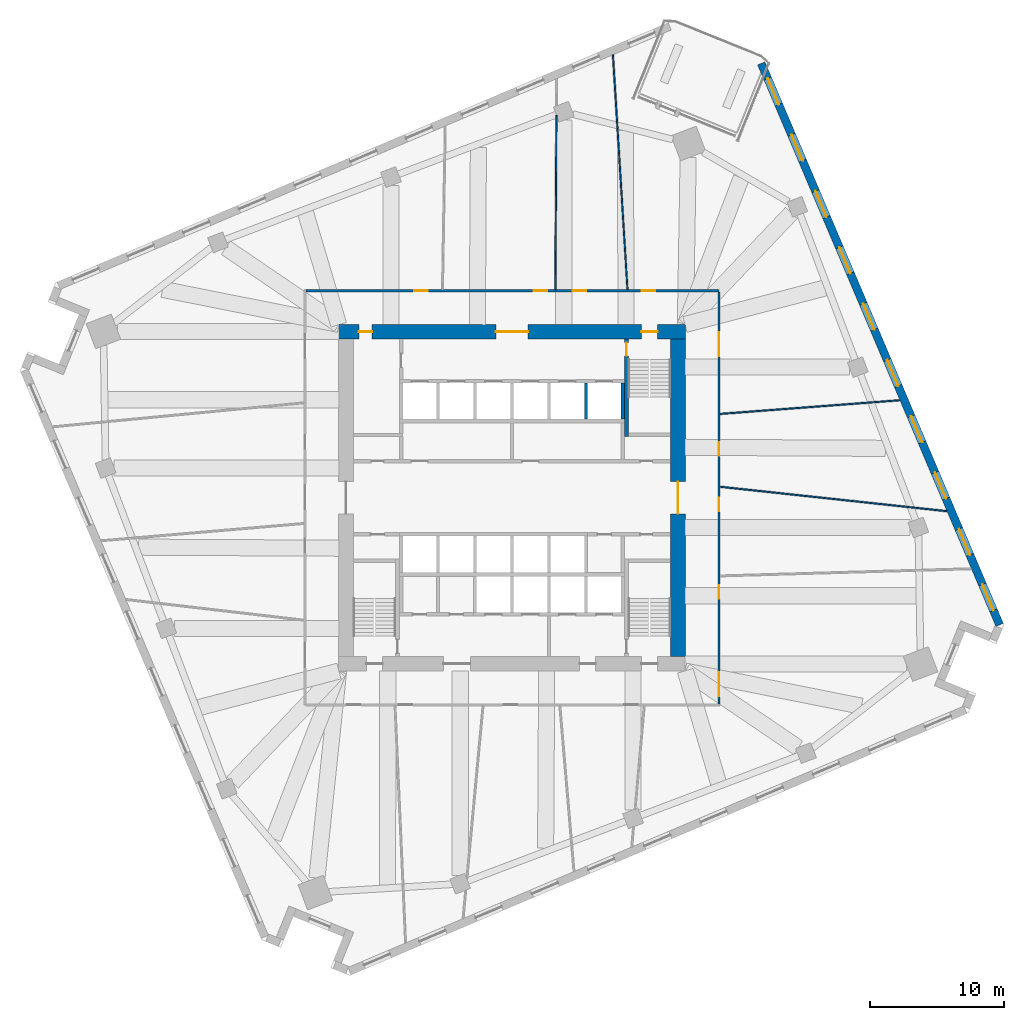
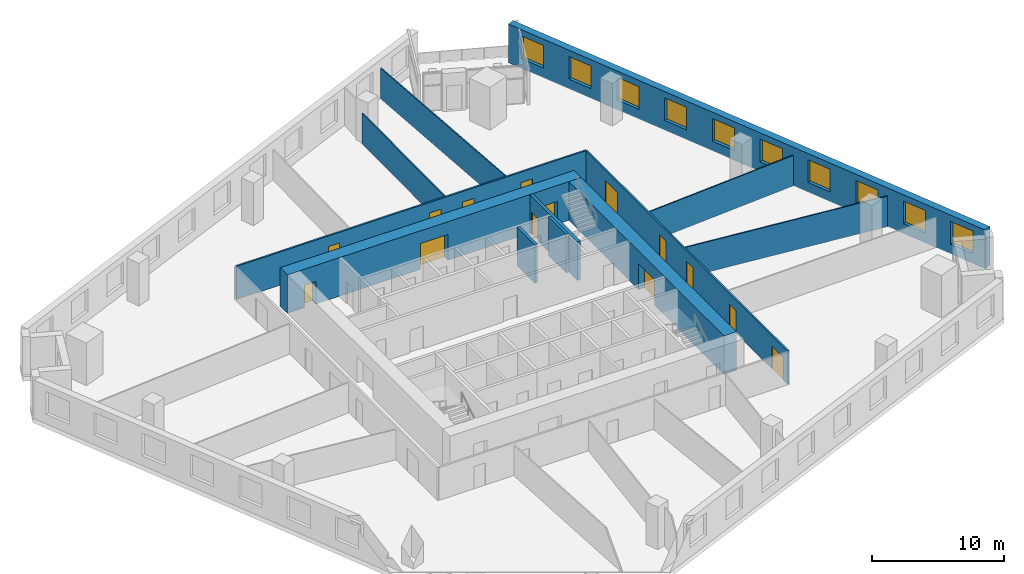
# One storey, part 9 of 12: 14 doors, 12 walls, 10 windows, 24 openings.
"""IFC4 building model written with IfcOpenShell, lengths in metres."""

from ifc_helpers import new_model, si_unit, direction, frame, frame_2d, origin, place, context, subcontext, project, spatial, rectangle, extrude, material, layer, layer_set, type_object, element, fill, save


model = new_model("IFC4")

# Units and contexts
model_context = context("Model", 3, precision=1e-05, world=origin(), true_north=direction((0.0, 1.0)))
body_context = subcontext(model_context, "Body", "Model", "MODEL_VIEW")
ifc_project = project(units=[si_unit("LENGTHUNIT", "METRE"), si_unit("AREAUNIT", "SQUARE_METRE"), si_unit("VOLUMEUNIT", "CUBIC_METRE"), si_unit("PLANEANGLEUNIT", "RADIAN"), si_unit("MASSUNIT", "GRAM", prefix="KILO")], contexts=[model_context])

# Site, building, storey
site_placement = place(None, origin())
site = spatial("IfcSite", under=ifc_project, at=site_placement, CompositionType="ELEMENT")
building_placement = place(site_placement, origin())
building = spatial("IfcBuilding", under=site, at=building_placement, Name="Dilmun Exchange Tower", CompositionType="ELEMENT")
storey_placement = place(building_placement, frame((0.0, 0.0, 118.10009765625)))
storey = spatial("IfcBuildingStorey", under=building, at=storey_placement, Name="L27", CompositionType="ELEMENT", Elevation=118.10009765625)

# Wall, openings, doors
ifc_material_1 = material(Name="Concrete C80/95", Category="concrete")
ifc_layer_1 = layer(ifc_material_1, 1.10009765625)
ifc_layer_set_1 = layer_set([ifc_layer_1], Name="Concrete C80/95")
wall_type_1 = type_object("IfcWallType", Name="Core shear wall 1100 Concrete C80/95", PredefinedType="SHEAR", material=ifc_layer_set_1)
wall_1_placement = place(storey_placement, frame((-12.89990234375, 12.35009765625, 0.0), z_axis=(0.0, 0.0, 1.0), x_axis=(1.0, 0.0, 0.0)))
wall_1 = element("IfcWall", 1, at=wall_1_placement, inside=storey, type_object=wall_type_1, Name="L27 core shear wall N", PredefinedType="SHEAR", context=body_context, shape_type="SweptSolid", body=[
    extrude(rectangle(XDim=25.7998046875, YDim=1.10009765625, at=frame_2d((12.89990234375, 0.0))), origin(), (0.0, 0.0, 1.0), 3.579833984375),
])
opening_1_placement = place(wall_1_placement, frame((11.699951171875, 0.0, 0.0)))
opening_1 = element("IfcOpeningElement", 2, at=opening_1_placement, cuts=wall_1, Name="Opening CD1", PredefinedType="OPENING", context=body_context, shape_type="SweptSolid", body=[
    extrude(rectangle(XDim=2.39990234375, YDim=2.39990234375, at=frame_2d((1.199951171875, 1.199951171875))), frame((0.0, 0.56005859375, 0.0), z_axis=(0.0, -1.0, 0.0), x_axis=(1.0, 0.0, 0.0)), (0.0, 0.0, 1.0), 1.1201171875),
])
opening_2_placement = place(wall_1_placement, frame((22.52490234375, 0.0, 0.0)))
opening_2 = element("IfcOpeningElement", 3, at=opening_2_placement, cuts=wall_1, Name="Opening CD3", PredefinedType="OPENING", context=body_context, shape_type="SweptSolid", body=[
    extrude(rectangle(XDim=1.199951171875, YDim=2.10009765625, at=frame_2d((0.60009765625, 1.050048828125))), frame((0.0, 0.56005859375, 0.0), z_axis=(0.0, -1.0, 0.0), x_axis=(1.0, 0.0, 0.0)), (0.0, 0.0, 1.0), 1.1201171875),
])
opening_3_placement = place(wall_1_placement, frame((1.5, 0.0, 0.0)))
opening_3 = element("IfcOpeningElement", 4, at=opening_3_placement, cuts=wall_1, Name="Opening CD4", PredefinedType="OPENING", context=body_context, shape_type="SweptSolid", body=[
    extrude(rectangle(XDim=1.0, YDim=2.10009765625, at=frame_2d((0.5, 1.050048828125))), frame((0.0, 0.56005859375, 0.0), z_axis=(0.0, -1.0, 0.0), x_axis=(1.0, 0.0, 0.0)), (0.0, 0.0, 1.0), 1.1201171875),
])
ifc_material_2 = material(Name="Fire-rated steel door set", Category="steel")
door_type_1 = type_object("IfcDoorType", Name="Core lobby door 2400x2400", OperationType="DOUBLE_DOOR_DOUBLE_SWING", PredefinedType="DOOR", material=ifc_material_2)
door_1_placement = place(opening_1_placement, origin())
door_1 = element("IfcDoor", 5, at=door_1_placement, inside=storey, type_object=door_type_1, Name="L27 door North lift lobby", OperationType="SINGLE_SWING_LEFT", OverallHeight=2.39990234375, OverallWidth=2.39990234375, PredefinedType="DOOR", context=body_context, shape_type="SweptSolid", body=[
    extrude(rectangle(XDim=2.39990234375, YDim=2.39990234375, at=frame_2d((1.199951171875, 1.199951171875))), frame((0.0, 0.02490234375, 0.0), z_axis=(0.0, -1.0, 0.0), x_axis=(1.0, 0.0, 0.0)), (0.0, 0.0, 1.0), 0.050048828125),
])
fill(opening_1, door_1)
door_type_2 = type_object("IfcDoorType", Name="Core room door 1000x2100", OperationType="SINGLE_SWING_LEFT", PredefinedType="DOOR", material=ifc_material_2)
door_2_placement = place(opening_3_placement, origin())
door_2 = element("IfcDoor", 6, at=door_2_placement, inside=storey, type_object=door_type_2, Name="L27 door North-west core rooms", OperationType="SINGLE_SWING_LEFT", OverallHeight=2.10009765625, OverallWidth=1.0, PredefinedType="DOOR", context=body_context, shape_type="SweptSolid", body=[
    extrude(rectangle(XDim=1.0, YDim=2.10009765625, at=frame_2d((0.5, 1.050048828125))), frame((0.0, 0.02490234375, 0.0), z_axis=(0.0, -1.0, 0.0), x_axis=(1.0, 0.0, 0.0)), (0.0, 0.0, 1.0), 0.050048828125),
])
fill(opening_3, door_2)
door_type_3 = type_object("IfcDoorType", Name="Stair exit door 1200x2100", OperationType="SINGLE_SWING_LEFT", PredefinedType="DOOR", material=ifc_material_2)
door_3_placement = place(opening_2_placement, origin())
door_3 = element("IfcDoor", 7, at=door_3_placement, inside=storey, type_object=door_type_3, Name="L27 door Stair ST1", OperationType="SINGLE_SWING_LEFT", OverallHeight=2.10009765625, OverallWidth=1.199951171875, PredefinedType="DOOR", context=body_context, shape_type="SweptSolid", body=[
    extrude(rectangle(XDim=1.199951171875, YDim=2.10009765625, at=frame_2d((0.60009765625, 1.050048828125))), frame((0.0, 0.02490234375, 0.0), z_axis=(0.0, -1.0, 0.0), x_axis=(1.0, 0.0, 0.0)), (0.0, 0.0, 1.0), 0.050048828125),
])
fill(opening_2, door_3)

# Wall, opening, door
wall_2_placement = place(storey_placement, frame((12.35009765625, -11.800048828125, 0.0), z_axis=(0.0, 0.0, 1.0), x_axis=(0.0, 1.0, 0.0)))
wall_2 = element("IfcWall", 8, at=wall_2_placement, inside=storey, type_object=wall_type_1, Name="L27 core shear wall E", PredefinedType="SHEAR", context=body_context, shape_type="SweptSolid", body=[
    extrude(rectangle(XDim=23.60009765625, YDim=1.10009765625, at=frame_2d((11.800048828125, 0.0))), origin(), (0.0, 0.0, 1.0), 3.579833984375),
])
opening_4_placement = place(wall_2_placement, frame((10.60009765625, 0.0, 0.0)))
opening_4 = element("IfcOpeningElement", 9, at=opening_4_placement, cuts=wall_2, Name="Opening CD1", PredefinedType="OPENING", context=body_context, shape_type="SweptSolid", body=[
    extrude(rectangle(XDim=2.39990234375, YDim=2.39990234375, at=frame_2d((1.199951171875, 1.199951171875))), frame((0.0, 0.56005859375, 0.0), z_axis=(0.0, -1.0, 0.0), x_axis=(1.0, 0.0, 0.0)), (0.0, 0.0, 1.0), 1.1201171875),
])
door_4_placement = place(opening_4_placement, origin())
door_4 = element("IfcDoor", 10, at=door_4_placement, inside=storey, type_object=door_type_1, Name="L27 door Central lift lobby", OperationType="SINGLE_SWING_LEFT", OverallHeight=2.39990234375, OverallWidth=2.39990234375, PredefinedType="DOOR", context=body_context, shape_type="SweptSolid", body=[
    extrude(rectangle(XDim=2.39990234375, YDim=2.39990234375, at=frame_2d((1.199951171875, 1.199951171875))), frame((0.0, 0.02490234375, 0.0), z_axis=(0.0, -1.0, 0.0), x_axis=(1.0, 0.0, 0.0)), (0.0, 0.0, 1.0), 0.050048828125),
])
fill(opening_4, door_4)

# Wall, openings, doors
ifc_material_3 = material(Name="Corridor wall 150")
ifc_layer_2 = layer(ifc_material_3, 0.14990234375)
ifc_layer_set_2 = layer_set([ifc_layer_2], Name="Corridor wall 150")
wall_type_2 = type_object("IfcWallType", Name="Corridor wall 150", PredefinedType="PARTITIONING", material=ifc_layer_set_2)
wall_3_placement = place(storey_placement, frame((-15.324951171875, 15.39990234375, 0.0), z_axis=(0.0, 0.0, 1.0), x_axis=(1.0, 0.0, 0.0)))
wall_3 = element("IfcWall", 11, at=wall_3_placement, inside=storey, type_object=wall_type_2, Name="Corridor wall", PredefinedType="PARTITIONING", context=body_context, shape_type="SweptSolid", body=[
    extrude(rectangle(XDim=30.724853515625, YDim=0.14990234375, at=frame_2d((15.3623046875, 0.0))), origin(), (0.0, 0.0, 1.0), 3.079833984375),
])
opening_5_placement = place(wall_3_placement, frame((8.050048828125, 0.0, 0.0)))
opening_5 = element("IfcOpeningElement", 12, at=opening_5_placement, cuts=wall_3, Name="Opening TF26-D05", PredefinedType="OPENING", context=body_context, shape_type="SweptSolid", body=[
    extrude(rectangle(XDim=1.0, YDim=2.10009765625, at=frame_2d((0.5, 1.050048828125))), frame((0.0, 0.0849609375, 0.0), z_axis=(0.0, -1.0, 0.0), x_axis=(1.0, 0.0, 0.0)), (0.0, 0.0, 1.0), 0.169921875),
])
opening_6_placement = place(wall_3_placement, frame((16.9501953125, 0.0, 0.0)))
opening_6 = element("IfcOpeningElement", 13, at=opening_6_placement, cuts=wall_3, Name="Opening TF26-D09", PredefinedType="OPENING", context=body_context, shape_type="SweptSolid", body=[
    extrude(rectangle(XDim=1.0, YDim=2.10009765625, at=frame_2d((0.5, 1.050048828125))), frame((0.0, 0.0849609375, 0.0), z_axis=(0.0, -1.0, 0.0), x_axis=(1.0, 0.0, 0.0)), (0.0, 0.0, 1.0), 0.169921875),
])
opening_7_placement = place(wall_3_placement, frame((19.847900390625, 0.0, 0.0)))
opening_7 = element("IfcOpeningElement", 14, at=opening_7_placement, cuts=wall_3, Name="Opening TF26-D11", PredefinedType="OPENING", context=body_context, shape_type="SweptSolid", body=[
    extrude(rectangle(XDim=1.0, YDim=2.10009765625, at=frame_2d((0.5, 1.050048828125))), frame((0.0, 0.0849609375, 0.0), z_axis=(0.0, -1.0, 0.0), x_axis=(1.0, 0.0, 0.0)), (0.0, 0.0, 1.0), 0.169921875),
])
opening_8_placement = place(wall_3_placement, frame((24.969482421875, 0.0, 0.0)))
opening_8 = element("IfcOpeningElement", 15, at=opening_8_placement, cuts=wall_3, Name="Opening TF26-D14", PredefinedType="OPENING", context=body_context, shape_type="SweptSolid", body=[
    extrude(rectangle(XDim=1.0, YDim=2.10009765625, at=frame_2d((0.5, 1.050048828125))), frame((0.0, 0.0849609375, 0.0), z_axis=(0.0, -1.0, 0.0), x_axis=(1.0, 0.0, 0.0)), (0.0, 0.0, 1.0), 0.169921875),
])
ifc_material_4 = material(Name="Fire door 1000 x 2100")
door_type_4 = type_object("IfcDoorType", Name="Fire door 1000 x 2100", OperationType="NOTDEFINED", PredefinedType="DOOR", material=ifc_material_4)
door_5_placement = place(opening_5_placement, origin())
door_5 = element("IfcDoor", 16, at=door_5_placement, inside=storey, type_object=door_type_4, Name="Door TF26-D05", OperationType="SINGLE_SWING_RIGHT", OverallHeight=2.10009765625, OverallWidth=1.0, PredefinedType="DOOR", context=body_context, shape_type="SweptSolid", body=[
    extrude(rectangle(XDim=1.0, YDim=2.10009765625, at=frame_2d((0.5, 1.050048828125))), frame((0.0, 0.02490234375, 0.0), z_axis=(0.0, -1.0, 0.0), x_axis=(1.0, 0.0, 0.0)), (0.0, 0.0, 1.0), 0.050048828125),
])
fill(opening_5, door_5)
door_6_placement = place(opening_6_placement, origin())
door_6 = element("IfcDoor", 17, at=door_6_placement, inside=storey, type_object=door_type_4, Name="Door TF26-D09", OperationType="SINGLE_SWING_RIGHT", OverallHeight=2.10009765625, OverallWidth=1.0, PredefinedType="DOOR", context=body_context, shape_type="SweptSolid", body=[
    extrude(rectangle(XDim=1.0, YDim=2.10009765625, at=frame_2d((0.5, 1.050048828125))), frame((0.0, 0.02490234375, 0.0), z_axis=(0.0, -1.0, 0.0), x_axis=(1.0, 0.0, 0.0)), (0.0, 0.0, 1.0), 0.050048828125),
])
fill(opening_6, door_6)
door_7_placement = place(opening_7_placement, origin())
door_7 = element("IfcDoor", 18, at=door_7_placement, inside=storey, type_object=door_type_4, Name="Door TF26-D11", OperationType="SINGLE_SWING_LEFT", OverallHeight=2.10009765625, OverallWidth=1.0, PredefinedType="DOOR", context=body_context, shape_type="SweptSolid", body=[
    extrude(rectangle(XDim=1.0, YDim=2.10009765625, at=frame_2d((0.5, 1.050048828125))), frame((0.0, 0.02490234375, 0.0), z_axis=(0.0, -1.0, 0.0), x_axis=(1.0, 0.0, 0.0)), (0.0, 0.0, 1.0), 0.050048828125),
])
fill(opening_7, door_7)
door_8_placement = place(opening_8_placement, origin())
door_8 = element("IfcDoor", 19, at=door_8_placement, inside=storey, type_object=door_type_4, Name="Door TF26-D14", OperationType="SINGLE_SWING_LEFT", OverallHeight=2.10009765625, OverallWidth=1.0, PredefinedType="DOOR", context=body_context, shape_type="SweptSolid", body=[
    extrude(rectangle(XDim=1.0, YDim=2.10009765625, at=frame_2d((0.5, 1.050048828125))), frame((0.0, 0.02490234375, 0.0), z_axis=(0.0, -1.0, 0.0), x_axis=(1.0, 0.0, 0.0)), (0.0, 0.0, 1.0), 0.050048828125),
])
fill(opening_8, door_8)

wall_4_placement = place(storey_placement, frame((15.39990234375, -15.324951171875, 0.0), z_axis=(0.0, 0.0, 1.0), x_axis=(0.0, 1.0, 0.0)))
wall_4 = element("IfcWall", 20, at=wall_4_placement, inside=storey, type_object=wall_type_2, Name="Corridor wall", PredefinedType="PARTITIONING", context=body_context, shape_type="SweptSolid", body=[
    extrude(rectangle(XDim=30.64990234375, YDim=0.14990234375, at=frame_2d((15.324951171875, 0.0))), origin(), (0.0, 0.0, 1.0), 3.079833984375),
])
opening_9_placement = place(wall_4_placement, frame((25.854736328125, 0.0, 0.0)))
opening_9 = element("IfcOpeningElement", 21, at=opening_9_placement, cuts=wall_4, Name="Opening TF26-D13", PredefinedType="OPENING", context=body_context, shape_type="SweptSolid", body=[
    extrude(rectangle(XDim=1.800048828125, YDim=2.10009765625, at=frame_2d((0.89990234375, 1.050048828125))), frame((0.0, 0.0849609375, 0.0), z_axis=(0.0, -1.0, 0.0), x_axis=(1.0, 0.0, 0.0)), (0.0, 0.0, 1.0), 0.169921875),
])
opening_10_placement = place(wall_4_placement, frame((0.550048828125, 0.0, 0.0)))
opening_10 = element("IfcOpeningElement", 22, at=opening_10_placement, cuts=wall_4, Name="Opening TF26-D15", PredefinedType="OPENING", context=body_context, shape_type="SweptSolid", body=[
    extrude(rectangle(XDim=1.800048828125, YDim=2.10009765625, at=frame_2d((0.89990234375, 1.050048828125))), frame((0.0, 0.0849609375, 0.0), z_axis=(0.0, -1.0, 0.0), x_axis=(1.0, 0.0, 0.0)), (0.0, 0.0, 1.0), 0.169921875),
])
opening_11_placement = place(wall_4_placement, frame((7.800048828125, 0.0, 0.0)))
opening_11 = element("IfcOpeningElement", 23, at=opening_11_placement, cuts=wall_4, Name="Opening TF26-D16", PredefinedType="OPENING", context=body_context, shape_type="SweptSolid", body=[
    extrude(rectangle(XDim=1.0, YDim=2.10009765625, at=frame_2d((0.5, 1.050048828125))), frame((0.0, 0.0849609375, 0.0), z_axis=(0.0, -1.0, 0.0), x_axis=(1.0, 0.0, 0.0)), (0.0, 0.0, 1.0), 0.169921875),
])
opening_12_placement = place(wall_4_placement, frame((18.44775390625, 0.0, 0.0)))
opening_12 = element("IfcOpeningElement", 24, at=opening_12_placement, cuts=wall_4, Name="Opening TF26-D17", PredefinedType="OPENING", context=body_context, shape_type="SweptSolid", body=[
    extrude(rectangle(XDim=1.0, YDim=2.10009765625, at=frame_2d((0.5, 1.050048828125))), frame((0.0, 0.0849609375, 0.0), z_axis=(0.0, -1.0, 0.0), x_axis=(1.0, 0.0, 0.0)), (0.0, 0.0, 1.0), 0.169921875),
])
opening_13_placement = place(wall_4_placement, frame((14.308349609375, 0.0, 0.0)))
opening_13 = element("IfcOpeningElement", 25, at=opening_13_placement, cuts=wall_4, Name="Opening TF26-D18", PredefinedType="OPENING", context=body_context, shape_type="SweptSolid", body=[
    extrude(rectangle(XDim=1.0, YDim=2.10009765625, at=frame_2d((0.5, 1.050048828125))), frame((0.0, 0.0849609375, 0.0), z_axis=(0.0, -1.0, 0.0), x_axis=(1.0, 0.0, 0.0)), (0.0, 0.0, 1.0), 0.169921875),
])
door_9_placement = place(opening_11_placement, frame((1.0, 0.0, 0.0), z_axis=(0.0, 0.0, 1.0), x_axis=(-1.0, 0.0, 0.0)))
door_9 = element("IfcDoor", 26, at=door_9_placement, inside=storey, type_object=door_type_4, Name="Door TF26-D16", OperationType="SINGLE_SWING_RIGHT", OverallHeight=2.10009765625, OverallWidth=1.0, PredefinedType="DOOR", context=body_context, shape_type="SweptSolid", body=[
    extrude(rectangle(XDim=1.0, YDim=2.10009765625, at=frame_2d((0.5, 1.050048828125))), frame((0.0, 0.02490234375, 0.0), z_axis=(0.0, -1.0, 0.0), x_axis=(1.0, 0.0, 0.0)), (0.0, 0.0, 1.0), 0.050048828125),
])
fill(opening_11, door_9)
door_10_placement = place(opening_12_placement, frame((1.0, 0.0, 0.0), z_axis=(0.0, 0.0, 1.0), x_axis=(-1.0, 0.0, 0.0)))
door_10 = element("IfcDoor", 27, at=door_10_placement, inside=storey, type_object=door_type_4, Name="Door TF26-D17", OperationType="SINGLE_SWING_RIGHT", OverallHeight=2.10009765625, OverallWidth=1.0, PredefinedType="DOOR", context=body_context, shape_type="SweptSolid", body=[
    extrude(rectangle(XDim=1.0, YDim=2.10009765625, at=frame_2d((0.5, 1.050048828125))), frame((0.0, 0.02490234375, 0.0), z_axis=(0.0, -1.0, 0.0), x_axis=(1.0, 0.0, 0.0)), (0.0, 0.0, 1.0), 0.050048828125),
])
fill(opening_12, door_10)
door_11_placement = place(opening_13_placement, frame((1.0, 0.0, 0.0), z_axis=(0.0, 0.0, 1.0), x_axis=(-1.0, 0.0, 0.0)))
door_11 = element("IfcDoor", 28, at=door_11_placement, inside=storey, type_object=door_type_4, Name="Door TF26-D18", OperationType="SINGLE_SWING_LEFT", OverallHeight=2.10009765625, OverallWidth=1.0, PredefinedType="DOOR", context=body_context, shape_type="SweptSolid", body=[
    extrude(rectangle(XDim=1.0, YDim=2.10009765625, at=frame_2d((0.5, 1.050048828125))), frame((0.0, 0.02490234375, 0.0), z_axis=(0.0, -1.0, 0.0), x_axis=(1.0, 0.0, 0.0)), (0.0, 0.0, 1.0), 0.050048828125),
])
fill(opening_13, door_11)
ifc_material_5 = material(Name="Fire door pair 1800 x 2100")
door_type_5 = type_object("IfcDoorType", Name="Fire door pair 1800 x 2100", OperationType="NOTDEFINED", PredefinedType="DOOR", material=ifc_material_5)
door_12_placement = place(opening_9_placement, frame((1.800048828125, 0.0, 0.0), z_axis=(0.0, 0.0, 1.0), x_axis=(-1.0, 0.0, 0.0)))
door_12 = element("IfcDoor", 29, at=door_12_placement, inside=storey, type_object=door_type_5, Name="Door TF26-D13", OperationType="DOUBLE_DOOR_SINGLE_SWING", OverallHeight=2.10009765625, OverallWidth=1.800048828125, PredefinedType="DOOR", context=body_context, shape_type="SweptSolid", body=[
    extrude(rectangle(XDim=1.800048828125, YDim=2.10009765625, at=frame_2d((0.89990234375, 1.050048828125))), frame((0.0, 0.02490234375, 0.0), z_axis=(0.0, -1.0, 0.0), x_axis=(1.0, 0.0, 0.0)), (0.0, 0.0, 1.0), 0.050048828125),
])
fill(opening_9, door_12)
door_13_placement = place(opening_10_placement, frame((1.800048828125, 0.0, 0.0), z_axis=(0.0, 0.0, 1.0), x_axis=(-1.0, 0.0, 0.0)))
door_13 = element("IfcDoor", 30, at=door_13_placement, inside=storey, type_object=door_type_5, Name="Door TF26-D15", OperationType="DOUBLE_DOOR_SINGLE_SWING", OverallHeight=2.10009765625, OverallWidth=1.800048828125, PredefinedType="DOOR", context=body_context, shape_type="SweptSolid", body=[
    extrude(rectangle(XDim=1.800048828125, YDim=2.10009765625, at=frame_2d((0.89990234375, 1.050048828125))), frame((0.0, 0.02490234375, 0.0), z_axis=(0.0, -1.0, 0.0), x_axis=(1.0, 0.0, 0.0)), (0.0, 0.0, 1.0), 0.050048828125),
])
fill(opening_10, door_13)

# Walls
ifc_material_6 = material(Name="Concrete C40/50", Category="concrete")
ifc_layer_3 = layer(ifc_material_6, 0.25)
ifc_layer_set_3 = layer_set([ifc_layer_3], Name="Concrete C40/50")
wall_type_3 = type_object("IfcWallType", Name="Lift shaft wall 250", PredefinedType="SOLIDWALL", material=ifc_layer_set_3)
for number, where, z_axis, x_axis, name in (
    (31, (5.5, 5.85009765625, 0.0), (0.0, 0.0, 1.0), (0.0, 1.0, 0.0), "L27 lift shaft divider N25"),
    (32, (8.25, 5.85009765625, 0.0), (0.0, 0.0, 1.0), (0.0, 1.0, 0.0), "L27 lift shaft divider N26"),
):
    element("IfcWall", number, at=place(storey_placement, frame(where, z_axis=z_axis, x_axis=x_axis)), inside=storey, type_object=wall_type_3, Name=name, PredefinedType="SOLIDWALL", context=body_context, shape_type="SweptSolid", body=[
        extrude(rectangle(XDim=2.699951171875, YDim=0.25, at=frame_2d((1.35009765625, 0.0))), origin(), (0.0, 0.0, 1.0), 3.579833984375),
    ])
ifc_material_7 = material(Name="Partition 100")
ifc_layer_4 = layer(ifc_material_7, 0.10009765625)
ifc_layer_set_4 = layer_set([ifc_layer_4], Name="Partition 100")
wall_type_4 = type_object("IfcWallType", Name="Partition 100", PredefinedType="PARTITIONING", material=ifc_layer_set_4)
wall_5_placement = place(storey_placement, frame((3.223388671875, 15.475341796875, 0.0), z_axis=(0.0, 0.0, 1.0), x_axis=(0.006333864112, 0.999979940882, 0.0)))
element("IfcWall", 33, at=wall_5_placement, inside=storey, type_object=wall_type_4, Name="Partition", PredefinedType="PARTITIONING", context=body_context, shape_type="SweptSolid", body=[
    extrude(rectangle(XDim=12.98974609375, YDim=0.10009765625, at=frame_2d((6.494873046875, 0.0))), origin(), (0.0, 0.0, 1.0), 2.829833984375),
])
wall_6_placement = place(storey_placement, frame((7.508544921875, 32.951416015625, 0.0), z_axis=(0.0, 0.0, 1.0), x_axis=(0.061903377762, -0.99808214683, 0.0)))
element("IfcWall", 34, at=wall_6_placement, inside=storey, type_object=wall_type_4, Name="Partition", PredefinedType="PARTITIONING", context=body_context, shape_type="SweptSolid", body=[
    extrude(rectangle(XDim=17.507080078125, YDim=0.10009765625, at=frame_2d((8.75341796875, 0.0))), origin(), (0.0, 0.0, 1.0), 2.829833984375),
])
wall_7_placement = place(storey_placement, frame((15.48046875, 0.818359375, 0.0), z_axis=(0.0, 0.0, 1.0), x_axis=(0.994248502276, -0.107097692424, 0.0)))
element("IfcWall", 35, at=wall_7_placement, inside=storey, type_object=wall_type_4, Name="Partition", PredefinedType="PARTITIONING", context=body_context, shape_type="SweptSolid", body=[
    extrude(rectangle(XDim=16.978515625, YDim=0.10009765625, at=frame_2d((8.4892578125, 0.0))), origin(), (0.0, 0.0, 1.0), 2.829833984375),
])
wall_8_placement = place(storey_placement, frame((15.478759765625, 6.236083984375, 0.0), z_axis=(0.0, 0.0, 1.0), x_axis=(0.997108716133, 0.075988211007, 0.0)))
element("IfcWall", 36, at=wall_8_placement, inside=storey, type_object=wall_type_4, Name="Partition", PredefinedType="PARTITIONING", context=body_context, shape_type="SweptSolid", body=[
    extrude(rectangle(XDim=13.4169921875, YDim=0.10009765625, at=frame_2d((6.70849609375, 0.0))), origin(), (0.0, 0.0, 1.0), 2.829833984375),
])

# Wall, openings, windows
ifc_material_8 = material(Name="Precast concrete C50/60", Category="concrete")
ifc_layer_5 = layer(ifc_material_8, 0.60009765625)
ifc_layer_set_5 = layer_set([ifc_layer_5], Name="Precast concrete C50/60")
wall_type_5 = type_object("IfcWallType", Name="Precast stone-clad wall 600", PredefinedType="STANDARD", material=ifc_layer_set_5)
wall_9_placement = place(storey_placement, frame((36.27734375, -9.452392578125, 0.0), z_axis=(0.0, 0.0, 1.0), x_axis=(-0.390731814816, 0.920504562124, 0.0)))
wall_9 = element("IfcWall", 37, at=wall_9_placement, inside=storey, type_object=wall_type_5, Name="Facade wall L27-21", PredefinedType="STANDARD", context=body_context, shape_type="SweptSolid", body=[
    extrude(rectangle(XDim=45.375732421875, YDim=0.60009765625, at=frame_2d((22.68798828125, 0.0))), origin(), (0.0, 0.0, 1.0), 3.579833984375),
])
opening_14_placement = place(wall_9_placement, frame((1.162841796875, 0.0, 0.89990234375)))
opening_14 = element("IfcOpeningElement", 38, at=opening_14_placement, cuts=wall_9, Name="Opening W210-210", PredefinedType="OPENING", context=body_context, shape_type="SweptSolid", body=[
    extrude(rectangle(XDim=2.10009765625, YDim=2.10009765625, at=frame_2d((1.050048828125, 1.050048828125))), frame((0.0, 0.31005859375, 0.0), z_axis=(0.0, -1.0, 0.0), x_axis=(1.0, 0.0, 0.0)), (0.0, 0.0, 1.0), 0.6201171875),
])
opening_15_placement = place(wall_9_placement, frame((5.650634765625, 0.0, 0.89990234375)))
opening_15 = element("IfcOpeningElement", 39, at=opening_15_placement, cuts=wall_9, Name="Opening W210-210", PredefinedType="OPENING", context=body_context, shape_type="SweptSolid", body=[
    extrude(rectangle(XDim=2.10009765625, YDim=2.10009765625, at=frame_2d((1.050048828125, 1.050048828125))), frame((0.0, 0.31005859375, 0.0), z_axis=(0.0, -1.0, 0.0), x_axis=(1.0, 0.0, 0.0)), (0.0, 0.0, 1.0), 0.6201171875),
])
opening_16_placement = place(wall_9_placement, frame((10.20068359375, 0.0, 0.89990234375)))
opening_16 = element("IfcOpeningElement", 40, at=opening_16_placement, cuts=wall_9, Name="Opening W210-210", PredefinedType="OPENING", context=body_context, shape_type="SweptSolid", body=[
    extrude(rectangle(XDim=2.10009765625, YDim=2.10009765625, at=frame_2d((1.050048828125, 1.050048828125))), frame((0.0, 0.31005859375, 0.0), z_axis=(0.0, -1.0, 0.0), x_axis=(1.0, 0.0, 0.0)), (0.0, 0.0, 1.0), 0.6201171875),
])
opening_17_placement = place(wall_9_placement, frame((14.750732421875, 0.0, 0.89990234375)))
opening_17 = element("IfcOpeningElement", 41, at=opening_17_placement, cuts=wall_9, Name="Opening W210-210", PredefinedType="OPENING", context=body_context, shape_type="SweptSolid", body=[
    extrude(rectangle(XDim=2.10009765625, YDim=2.10009765625, at=frame_2d((1.050048828125, 1.050048828125))), frame((0.0, 0.31005859375, 0.0), z_axis=(0.0, -1.0, 0.0), x_axis=(1.0, 0.0, 0.0)), (0.0, 0.0, 1.0), 0.6201171875),
])
opening_18_placement = place(wall_9_placement, frame((19.30078125, 0.0, 0.89990234375)))
opening_18 = element("IfcOpeningElement", 42, at=opening_18_placement, cuts=wall_9, Name="Opening W210-210", PredefinedType="OPENING", context=body_context, shape_type="SweptSolid", body=[
    extrude(rectangle(XDim=2.10009765625, YDim=2.10009765625, at=frame_2d((1.050048828125, 1.050048828125))), frame((0.0, 0.31005859375, 0.0), z_axis=(0.0, -1.0, 0.0), x_axis=(1.0, 0.0, 0.0)), (0.0, 0.0, 1.0), 0.6201171875),
])
opening_19_placement = place(wall_9_placement, frame((23.8505859375, 0.0, 0.89990234375)))
opening_19 = element("IfcOpeningElement", 43, at=opening_19_placement, cuts=wall_9, Name="Opening W210-210", PredefinedType="OPENING", context=body_context, shape_type="SweptSolid", body=[
    extrude(rectangle(XDim=2.10009765625, YDim=2.10009765625, at=frame_2d((1.050048828125, 1.050048828125))), frame((0.0, 0.31005859375, 0.0), z_axis=(0.0, -1.0, 0.0), x_axis=(1.0, 0.0, 0.0)), (0.0, 0.0, 1.0), 0.6201171875),
])
opening_20_placement = place(wall_9_placement, frame((28.400634765625, 0.0, 0.89990234375)))
opening_20 = element("IfcOpeningElement", 44, at=opening_20_placement, cuts=wall_9, Name="Opening W210-210", PredefinedType="OPENING", context=body_context, shape_type="SweptSolid", body=[
    extrude(rectangle(XDim=2.10009765625, YDim=2.10009765625, at=frame_2d((1.050048828125, 1.050048828125))), frame((0.0, 0.31005859375, 0.0), z_axis=(0.0, -1.0, 0.0), x_axis=(1.0, 0.0, 0.0)), (0.0, 0.0, 1.0), 0.6201171875),
])
opening_21_placement = place(wall_9_placement, frame((32.95068359375, 0.0, 0.89990234375)))
opening_21 = element("IfcOpeningElement", 45, at=opening_21_placement, cuts=wall_9, Name="Opening W210-210", PredefinedType="OPENING", context=body_context, shape_type="SweptSolid", body=[
    extrude(rectangle(XDim=2.10009765625, YDim=2.10009765625, at=frame_2d((1.050048828125, 1.050048828125))), frame((0.0, 0.31005859375, 0.0), z_axis=(0.0, -1.0, 0.0), x_axis=(1.0, 0.0, 0.0)), (0.0, 0.0, 1.0), 0.6201171875),
])
opening_22_placement = place(wall_9_placement, frame((37.500732421875, 0.0, 0.89990234375)))
opening_22 = element("IfcOpeningElement", 46, at=opening_22_placement, cuts=wall_9, Name="Opening W210-210", PredefinedType="OPENING", context=body_context, shape_type="SweptSolid", body=[
    extrude(rectangle(XDim=2.10009765625, YDim=2.10009765625, at=frame_2d((1.050048828125, 1.050048828125))), frame((0.0, 0.31005859375, 0.0), z_axis=(0.0, -1.0, 0.0), x_axis=(1.0, 0.0, 0.0)), (0.0, 0.0, 1.0), 0.6201171875),
])
opening_23_placement = place(wall_9_placement, frame((42.05078125, 0.0, 0.89990234375)))
opening_23 = element("IfcOpeningElement", 47, at=opening_23_placement, cuts=wall_9, Name="Opening W210-210", PredefinedType="OPENING", context=body_context, shape_type="SweptSolid", body=[
    extrude(rectangle(XDim=2.10009765625, YDim=2.10009765625, at=frame_2d((1.050048828125, 1.050048828125))), frame((0.0, 0.31005859375, 0.0), z_axis=(0.0, -1.0, 0.0), x_axis=(1.0, 0.0, 0.0)), (0.0, 0.0, 1.0), 0.6201171875),
])
ifc_material_9 = material(Name="Clear low-emissivity glass in aluminium frame", Category="aluminium")
window_type = type_object("IfcWindowType", Name="Punched window 2100 x 2100", PartitioningType="DOUBLE_PANEL_VERTICAL", PredefinedType="WINDOW", material=ifc_material_9)
window_1_placement = place(opening_14_placement, origin())
window_1 = element("IfcWindow", 48, at=window_1_placement, inside=storey, type_object=window_type, Name="Window 22.1", OverallHeight=2.10009765625, OverallWidth=2.10009765625, PartitioningType="SINGLE_PANEL", PredefinedType="WINDOW", context=body_context, shape_type="SweptSolid", body=[
    extrude(rectangle(XDim=2.10009765625, YDim=2.10009765625, at=frame_2d((1.050048828125, 1.050048828125))), frame((0.0, 0.030029296875, 0.0), z_axis=(0.0, -1.0, 0.0), x_axis=(1.0, 0.0, 0.0)), (0.0, 0.0, 1.0), 0.06005859375),
])
fill(opening_14, window_1)
window_2_placement = place(opening_15_placement, origin())
window_2 = element("IfcWindow", 49, at=window_2_placement, inside=storey, type_object=window_type, Name="Window 22.2", OverallHeight=2.10009765625, OverallWidth=2.10009765625, PartitioningType="SINGLE_PANEL", PredefinedType="WINDOW", context=body_context, shape_type="SweptSolid", body=[
    extrude(rectangle(XDim=2.10009765625, YDim=2.10009765625, at=frame_2d((1.050048828125, 1.050048828125))), frame((0.0, 0.030029296875, 0.0), z_axis=(0.0, -1.0, 0.0), x_axis=(1.0, 0.0, 0.0)), (0.0, 0.0, 1.0), 0.06005859375),
])
fill(opening_15, window_2)
window_3_placement = place(opening_16_placement, origin())
window_3 = element("IfcWindow", 50, at=window_3_placement, inside=storey, type_object=window_type, Name="Window 22.3", OverallHeight=2.10009765625, OverallWidth=2.10009765625, PartitioningType="SINGLE_PANEL", PredefinedType="WINDOW", context=body_context, shape_type="SweptSolid", body=[
    extrude(rectangle(XDim=2.10009765625, YDim=2.10009765625, at=frame_2d((1.050048828125, 1.050048828125))), frame((0.0, 0.030029296875, 0.0), z_axis=(0.0, -1.0, 0.0), x_axis=(1.0, 0.0, 0.0)), (0.0, 0.0, 1.0), 0.06005859375),
])
fill(opening_16, window_3)
window_4_placement = place(opening_17_placement, origin())
window_4 = element("IfcWindow", 51, at=window_4_placement, inside=storey, type_object=window_type, Name="Window 22.4", OverallHeight=2.10009765625, OverallWidth=2.10009765625, PartitioningType="SINGLE_PANEL", PredefinedType="WINDOW", context=body_context, shape_type="SweptSolid", body=[
    extrude(rectangle(XDim=2.10009765625, YDim=2.10009765625, at=frame_2d((1.050048828125, 1.050048828125))), frame((0.0, 0.030029296875, 0.0), z_axis=(0.0, -1.0, 0.0), x_axis=(1.0, 0.0, 0.0)), (0.0, 0.0, 1.0), 0.06005859375),
])
fill(opening_17, window_4)
window_5_placement = place(opening_18_placement, origin())
window_5 = element("IfcWindow", 52, at=window_5_placement, inside=storey, type_object=window_type, Name="Window 22.5", OverallHeight=2.10009765625, OverallWidth=2.10009765625, PartitioningType="SINGLE_PANEL", PredefinedType="WINDOW", context=body_context, shape_type="SweptSolid", body=[
    extrude(rectangle(XDim=2.10009765625, YDim=2.10009765625, at=frame_2d((1.050048828125, 1.050048828125))), frame((0.0, 0.030029296875, 0.0), z_axis=(0.0, -1.0, 0.0), x_axis=(1.0, 0.0, 0.0)), (0.0, 0.0, 1.0), 0.06005859375),
])
fill(opening_18, window_5)
window_6_placement = place(opening_19_placement, origin())
window_6 = element("IfcWindow", 53, at=window_6_placement, inside=storey, type_object=window_type, Name="Window 22.6", OverallHeight=2.10009765625, OverallWidth=2.10009765625, PartitioningType="SINGLE_PANEL", PredefinedType="WINDOW", context=body_context, shape_type="SweptSolid", body=[
    extrude(rectangle(XDim=2.10009765625, YDim=2.10009765625, at=frame_2d((1.050048828125, 1.050048828125))), frame((0.0, 0.030029296875, 0.0), z_axis=(0.0, -1.0, 0.0), x_axis=(1.0, 0.0, 0.0)), (0.0, 0.0, 1.0), 0.06005859375),
])
fill(opening_19, window_6)
window_7_placement = place(opening_20_placement, origin())
window_7 = element("IfcWindow", 54, at=window_7_placement, inside=storey, type_object=window_type, Name="Window 22.7", OverallHeight=2.10009765625, OverallWidth=2.10009765625, PartitioningType="SINGLE_PANEL", PredefinedType="WINDOW", context=body_context, shape_type="SweptSolid", body=[
    extrude(rectangle(XDim=2.10009765625, YDim=2.10009765625, at=frame_2d((1.050048828125, 1.050048828125))), frame((0.0, 0.030029296875, 0.0), z_axis=(0.0, -1.0, 0.0), x_axis=(1.0, 0.0, 0.0)), (0.0, 0.0, 1.0), 0.06005859375),
])
fill(opening_20, window_7)
window_8_placement = place(opening_21_placement, origin())
window_8 = element("IfcWindow", 55, at=window_8_placement, inside=storey, type_object=window_type, Name="Window 22.8", OverallHeight=2.10009765625, OverallWidth=2.10009765625, PartitioningType="SINGLE_PANEL", PredefinedType="WINDOW", context=body_context, shape_type="SweptSolid", body=[
    extrude(rectangle(XDim=2.10009765625, YDim=2.10009765625, at=frame_2d((1.050048828125, 1.050048828125))), frame((0.0, 0.030029296875, 0.0), z_axis=(0.0, -1.0, 0.0), x_axis=(1.0, 0.0, 0.0)), (0.0, 0.0, 1.0), 0.06005859375),
])
fill(opening_21, window_8)
window_9_placement = place(opening_22_placement, origin())
window_9 = element("IfcWindow", 56, at=window_9_placement, inside=storey, type_object=window_type, Name="Window 22.9", OverallHeight=2.10009765625, OverallWidth=2.10009765625, PartitioningType="SINGLE_PANEL", PredefinedType="WINDOW", context=body_context, shape_type="SweptSolid", body=[
    extrude(rectangle(XDim=2.10009765625, YDim=2.10009765625, at=frame_2d((1.050048828125, 1.050048828125))), frame((0.0, 0.030029296875, 0.0), z_axis=(0.0, -1.0, 0.0), x_axis=(1.0, 0.0, 0.0)), (0.0, 0.0, 1.0), 0.06005859375),
])
fill(opening_22, window_9)
window_10_placement = place(opening_23_placement, origin())
window_10 = element("IfcWindow", 57, at=window_10_placement, inside=storey, type_object=window_type, Name="Window 22.10", OverallHeight=2.10009765625, OverallWidth=2.10009765625, PartitioningType="SINGLE_PANEL", PredefinedType="WINDOW", context=body_context, shape_type="SweptSolid", body=[
    extrude(rectangle(XDim=2.10009765625, YDim=2.10009765625, at=frame_2d((1.050048828125, 1.050048828125))), frame((0.0, 0.030029296875, 0.0), z_axis=(0.0, -1.0, 0.0), x_axis=(1.0, 0.0, 0.0)), (0.0, 0.0, 1.0), 0.06005859375),
])
fill(opening_23, window_10)

# Wall, opening, door
ifc_layer_6 = layer(ifc_material_6, 0.27490234375)
ifc_layer_set_6 = layer_set([ifc_layer_6], Name="Concrete C40/50")
wall_type_6 = type_object("IfcWallType", Name="Stair wall 275", PredefinedType="SOLIDWALL", material=ifc_layer_set_6)
wall_10_placement = place(storey_placement, frame((8.512451171875, 4.550048828125, 0.0), z_axis=(0.0, 0.0, 1.0), x_axis=(0.0, 1.0, 0.0)))
wall_10 = element("IfcWall", 58, at=wall_10_placement, inside=storey, type_object=wall_type_6, Name="L27 ST1 wall to lift block", PredefinedType="SOLIDWALL", context=body_context, shape_type="SweptSolid", body=[
    extrude(rectangle(XDim=7.25, YDim=0.27490234375, at=frame_2d((3.625, 0.0))), origin(), (0.0, 0.0, 1.0), 3.579833984375),
])
opening_24_placement = place(wall_10_placement, frame((6.0, 0.0, 0.0)))
opening_24 = element("IfcOpeningElement", 59, at=opening_24_placement, cuts=wall_10, Name="Opening CD4", PredefinedType="OPENING", context=body_context, shape_type="SweptSolid", body=[
    extrude(rectangle(XDim=1.0, YDim=2.10009765625, at=frame_2d((0.5, 1.050048828125))), frame((0.0, 0.1474609375, 0.0), z_axis=(0.0, -1.0, 0.0), x_axis=(1.0, 0.0, 0.0)), (0.0, 0.0, 1.0), 0.294921875),
])
door_14_placement = place(opening_24_placement, origin())
door_14 = element("IfcDoor", 60, at=door_14_placement, inside=storey, type_object=door_type_2, Name="L27 door ST1 from lobby", OperationType="SINGLE_SWING_LEFT", OverallHeight=2.10009765625, OverallWidth=1.0, PredefinedType="DOOR", context=body_context, shape_type="SweptSolid", body=[
    extrude(rectangle(XDim=1.0, YDim=2.10009765625, at=frame_2d((0.5, 1.050048828125))), frame((0.0, 0.02490234375, 0.0), z_axis=(0.0, -1.0, 0.0), x_axis=(1.0, 0.0, 0.0)), (0.0, 0.0, 1.0), 0.050048828125),
])
fill(opening_24, door_14)

save(model, "model.ifc")
